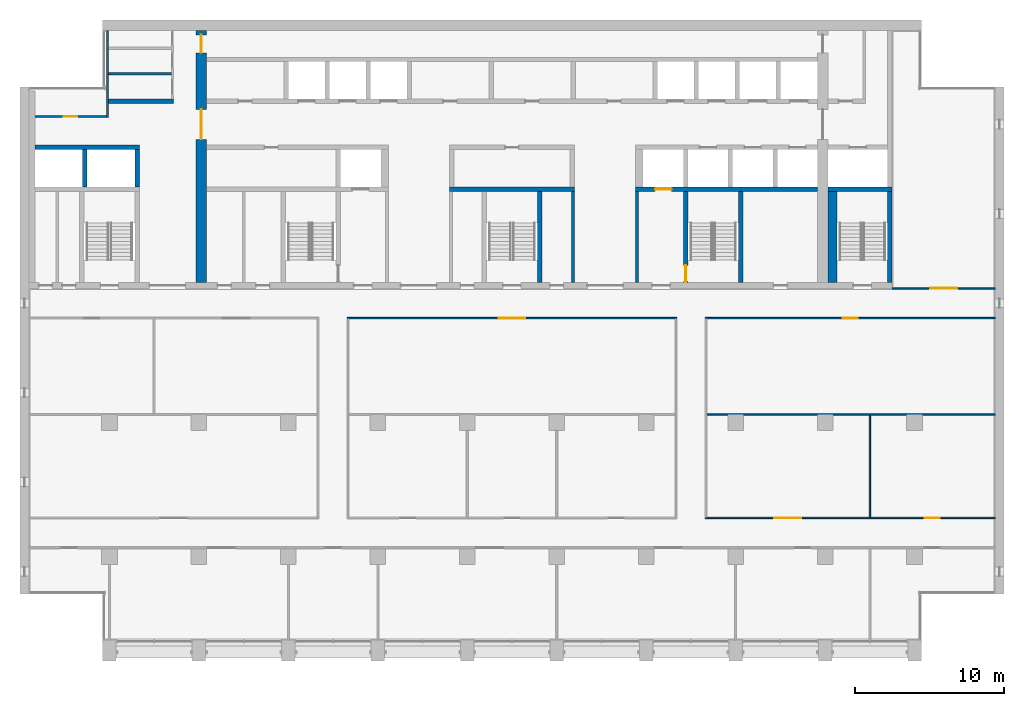
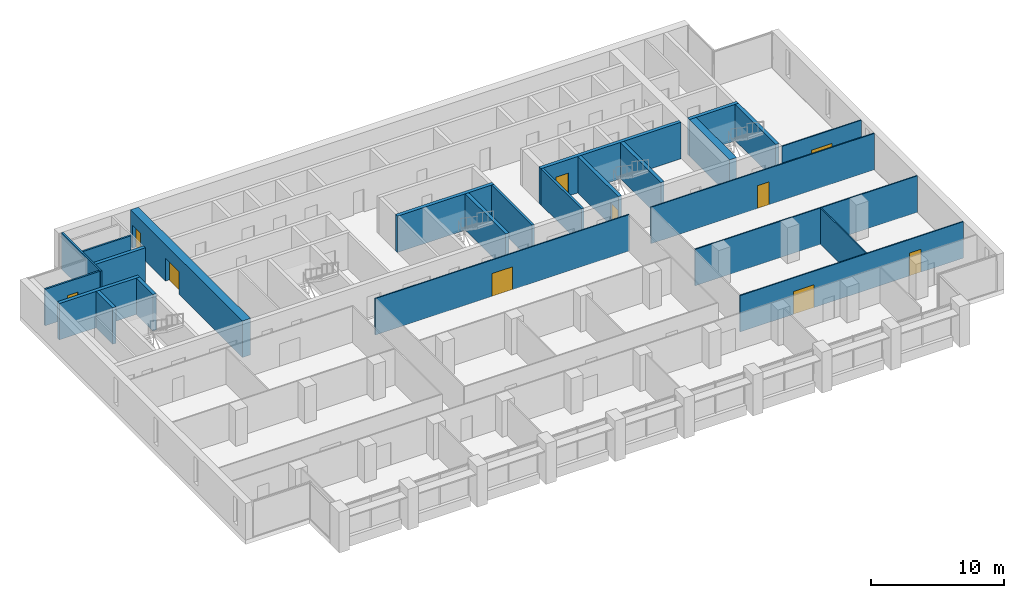
# One storey, part 10 of 17: 24 walls, 10 doors, 10 openings.
"""IFC4 building model written with IfcOpenShell, lengths in metres."""

from ifc_helpers import new_model, si_unit, direction, frame, frame_2d, origin, place, context, subcontext, project, spatial, rectangle, extrude, material, layer, layer_set, type_object, element, fill, save


model = new_model("IFC4")

# Units and contexts
model_context = context("Model", 3, precision=1e-05, world=origin(), true_north=direction((0.0, 1.0)))
body_context = subcontext(model_context, "Body", "Model", "MODEL_VIEW")
ifc_project = project(units=[si_unit("LENGTHUNIT", "METRE"), si_unit("AREAUNIT", "SQUARE_METRE"), si_unit("VOLUMEUNIT", "CUBIC_METRE"), si_unit("PLANEANGLEUNIT", "RADIAN"), si_unit("MASSUNIT", "GRAM", prefix="KILO")], contexts=[model_context])

# Site, building, storey
site_placement = place(None, origin())
site = spatial("IfcSite", under=ifc_project, at=site_placement, CompositionType="ELEMENT")
building_placement = place(site_placement, origin())
building = spatial("IfcBuilding", under=site, at=building_placement, Name="Calvaro Tower", CompositionType="ELEMENT")
storey_placement = place(building_placement, frame((0.0, 0.0, 204.25)))
storey = spatial("IfcBuildingStorey", under=building, at=storey_placement, Name="L51", CompositionType="ELEMENT", Elevation=204.25)

# Walls
ifc_material_1 = material(Name="Blockwork partition", Category="masonry")
ifc_layer_1 = layer(ifc_material_1, 0.14990234375)
ifc_layer_set_1 = layer_set([ifc_layer_1], Name="Blockwork partition")
wall_type_1 = type_object("IfcWallType", Name="Core partition 150 EI 60", PredefinedType="PARTITIONING", material=ifc_layer_set_1)
wall_1_placement = place(storey_placement, frame((11.949951171875, 42.39990234375, 0.0), z_axis=(0.0, 0.0, 1.0), x_axis=(1.0, 0.0, 0.0)))
element("IfcWall", 1, at=wall_1_placement, inside=storey, type_object=wall_type_1, Name="Core partition", PredefinedType="PARTITIONING", context=body_context, shape_type="SweptSolid", body=[
    extrude(rectangle(XDim=4.199951171875, YDim=0.14990234375, at=frame_2d((2.10009765625, 0.0))), origin(), (0.0, 0.0, 1.0), 3.35009765625),
])
ifc_material_2 = material(Name="Blockwork partition", Category="masonry")
ifc_layer_2 = layer(ifc_material_2, 0.14990234375)
ifc_layer_set_2 = layer_set([ifc_layer_2], Name="Blockwork partition")
wall_type_2 = type_object("IfcWallType", Name="Core partition 150 REI 120", PredefinedType="PARTITIONING", material=ifc_layer_set_2)
wall_2_placement = place(storey_placement, frame((11.875, 39.449951171875, 0.0), z_axis=(0.0, 0.0, 1.0), x_axis=(0.0, 1.0, 0.0)))
element("IfcWall", 2, at=wall_2_placement, inside=storey, type_object=wall_type_2, Name="Core partition", PredefinedType="PARTITIONING", context=body_context, shape_type="SweptSolid", body=[
    extrude(rectangle(XDim=5.85009765625, YDim=0.14990234375, at=frame_2d((2.925048828125, 0.0))), origin(), (0.0, 0.0, 1.0), 3.35009765625),
])

# Wall, opening, door
wall_3_placement = place(storey_placement, frame((7.0, 39.52490234375, 0.0), z_axis=(0.0, 0.0, 1.0), x_axis=(1.0, 0.0, 0.0)))
wall_3 = element("IfcWall", 3, at=wall_3_placement, inside=storey, type_object=wall_type_2, Name="Core partition", PredefinedType="PARTITIONING", context=body_context, shape_type="SweptSolid", body=[
    extrude(rectangle(XDim=4.800048828125, YDim=0.14990234375, at=frame_2d((2.39990234375, 0.0))), origin(), (0.0, 0.0, 1.0), 3.35009765625),
])
opening_1_placement = place(wall_3_placement, frame((1.949951171875, 0.0, 0.0)))
opening_1 = element("IfcOpeningElement", 4, at=opening_1_placement, cuts=wall_3, Name="Opening RD9", PredefinedType="OPENING", context=body_context, shape_type="SweptSolid", body=[
    extrude(rectangle(XDim=0.89990234375, YDim=2.10009765625, at=frame_2d((0.449951171875, 1.050048828125))), frame((0.0, 0.0849609375, 0.0), z_axis=(0.0, -1.0, 0.0), x_axis=(1.0, 0.0, 0.0)), (0.0, 0.0, 1.0), 0.169921875),
])
ifc_material_3 = material(Name="Steel door set", Category="steel")
door_type_1 = type_object("IfcDoorType", Name="Room door 900", OperationType="SINGLE_SWING_LEFT", PredefinedType="DOOR", material=ifc_material_3)
door_1_placement = place(opening_1_placement, origin())
door_1 = element("IfcDoor", 5, at=door_1_placement, inside=storey, type_object=door_type_1, Name="Room door", OperationType="SINGLE_SWING_LEFT", OverallHeight=2.10009765625, OverallWidth=0.89990234375, PredefinedType="DOOR", context=body_context, shape_type="SweptSolid", body=[
    extrude(rectangle(XDim=0.89990234375, YDim=2.10009765625, at=frame_2d((0.449951171875, 1.050048828125))), frame((0.0, 0.02490234375, 0.0), z_axis=(0.0, -1.0, 0.0), x_axis=(1.0, 0.0, 0.0)), (0.0, 0.0, 1.0), 0.050048828125),
])
fill(opening_1, door_1)

# Walls
ifc_material_4 = material(Name="Blockwork partition", Category="masonry")
ifc_layer_3 = layer(ifc_material_4, 0.199951171875)
ifc_layer_set_3 = layer_set([ifc_layer_3], Name="Blockwork partition")
wall_type_3 = type_object("IfcWallType", Name="Core partition 200 REI 120", PredefinedType="PARTITIONING", material=ifc_layer_set_3)
for number, where, z_axis, x_axis, name in (
    (6, (43.10009765625, 28.39990234375, 0.0), (0.0, 0.0, 1.0), (0.0, 1.0, 0.0), "Core partition"),
    (7, (47.39990234375, 28.39990234375, 0.0), (0.0, 0.0, 1.0), (0.0, 1.0, 0.0), "Core partition"),
):
    element("IfcWall", number, at=place(storey_placement, frame(where, z_axis=z_axis, x_axis=x_axis)), inside=storey, type_object=wall_type_3, Name=name, PredefinedType="PARTITIONING", context=body_context, shape_type="SweptSolid", body=[
        extrude(rectangle(XDim=6.10009765625, YDim=0.199951171875, at=frame_2d((3.050048828125, 0.0))), origin(), (0.0, 0.0, 1.0), 3.35009765625),
    ])
ifc_material_5 = material(Name="Blockwork partition", Category="masonry")
ifc_layer_4 = layer(ifc_material_5, 0.300048828125)
ifc_layer_set_4 = layer_set([ifc_layer_4], Name="Blockwork partition")
wall_type_4 = type_object("IfcWallType", Name="Core partition 300 REI 120", PredefinedType="PARTITIONING", material=ifc_layer_set_4)
wall_4_placement = place(storey_placement, frame((11.949951171875, 40.550048828125, 0.0), z_axis=(0.0, 0.0, 1.0), x_axis=(1.0, 0.0, 0.0)))
element("IfcWall", 8, at=wall_4_placement, inside=storey, type_object=wall_type_4, Name="Core partition", PredefinedType="PARTITIONING", context=body_context, shape_type="SweptSolid", body=[
    extrude(rectangle(XDim=4.35009765625, YDim=0.300048828125, at=frame_2d((2.175048828125, 0.0))), origin(), (0.0, 0.0, 1.0), 3.35009765625),
])
ifc_material_6 = material(Name="Concrete C50/60", Category="concrete")
ifc_layer_5 = layer(ifc_material_6, 0.300048828125)
ifc_layer_set_5 = layer_set([ifc_layer_5], Name="Concrete C50/60")
wall_type_5 = type_object("IfcWallType", Name="Core wall C50/60 300", PredefinedType="SHEAR", material=ifc_layer_set_5)
wall_5_placement = place(storey_placement, frame((40.85009765625, 28.39990234375, 0.0), z_axis=(0.0, 0.0, 1.0), x_axis=(0.0, 1.0, 0.0)))
element("IfcWall", 9, at=wall_5_placement, inside=storey, type_object=wall_type_5, Name="Core wall, stair enclosure", PredefinedType="SHEAR", context=body_context, shape_type="SweptSolid", body=[
    extrude(rectangle(XDim=6.10009765625, YDim=0.300048828125, at=frame_2d((3.050048828125, 0.0))), origin(), (0.0, 0.0, 1.0), 3.35009765625),
])

# Wall, opening, door
wall_6_placement = place(storey_placement, frame((50.64990234375, 34.5, 0.0), z_axis=(0.0, 0.0, 1.0), x_axis=(0.0, -1.0, 0.0)))
wall_6 = element("IfcWall", 10, at=wall_6_placement, inside=storey, type_object=wall_type_5, Name="Core wall, stair enclosure", PredefinedType="SHEAR", context=body_context, shape_type="SweptSolid", body=[
    extrude(rectangle(XDim=6.10009765625, YDim=0.300048828125, at=frame_2d((3.050048828125, 0.0))), origin(), (0.0, 0.0, 1.0), 3.35009765625),
])
opening_2_placement = place(wall_6_placement, frame((4.949951171875, 0.0, 0.0)))
opening_2 = element("IfcOpeningElement", 11, at=opening_2_placement, cuts=wall_6, Name="Opening FD11D", PredefinedType="OPENING", context=body_context, shape_type="SweptSolid", body=[
    extrude(rectangle(XDim=1.10009765625, YDim=2.10009765625, at=frame_2d((0.550048828125, 1.050048828125))), frame((0.0, 0.159912109375, 0.0), z_axis=(0.0, -1.0, 0.0), x_axis=(1.0, 0.0, 0.0)), (0.0, 0.0, 1.0), 0.320068359375),
])
ifc_material_7 = material(Name="Steel door set", Category="steel")
door_type_2 = type_object("IfcDoorType", Name="Fire door 1100 FD30S", OperationType="SINGLE_SWING_LEFT", PredefinedType="DOOR", material=ifc_material_7)
door_2_placement = place(opening_2_placement, origin())
door_2 = element("IfcDoor", 12, at=door_2_placement, inside=storey, type_object=door_type_2, Name="Fire door", OperationType="SINGLE_SWING_RIGHT", OverallHeight=2.10009765625, OverallWidth=1.10009765625, PredefinedType="DOOR", context=body_context, shape_type="SweptSolid", body=[
    extrude(rectangle(XDim=1.10009765625, YDim=2.10009765625, at=frame_2d((0.550048828125, 1.050048828125))), frame((0.0, 0.02490234375, 0.0), z_axis=(0.0, -1.0, 0.0), x_axis=(1.0, 0.0, 0.0)), (0.0, 0.0, 1.0), 0.050048828125),
])
fill(opening_2, door_2)

# Walls
for number, where, z_axis, x_axis, name in (
    (13, (54.35009765625, 28.39990234375, 0.0), (0.0, 0.0, 1.0), (0.0, 1.0, 0.0), "Core wall, stair enclosure"),
    (14, (64.35009765625, 28.39990234375, 0.0), (0.0, 0.0, 1.0), (0.0, 1.0, 0.0), "Core wall, stair enclosure"),
):
    element("IfcWall", number, at=place(storey_placement, frame(where, z_axis=z_axis, x_axis=x_axis)), inside=storey, type_object=wall_type_5, Name=name, PredefinedType="SHEAR", context=body_context, shape_type="SweptSolid", body=[
        extrude(rectangle(XDim=6.10009765625, YDim=0.300048828125, at=frame_2d((3.050048828125, 0.0))), origin(), (0.0, 0.0, 1.0), 3.35009765625),
    ])
wall_7_placement = place(storey_placement, frame((34.800048828125, 34.64990234375, 0.0), z_axis=(0.0, 0.0, 1.0), x_axis=(1.0, 0.0, 0.0)))
element("IfcWall", 15, at=wall_7_placement, inside=storey, type_object=wall_type_5, Name="Core wall, lift shaft", PredefinedType="SHEAR", context=body_context, shape_type="SweptSolid", body=[
    extrude(rectangle(XDim=8.39990234375, YDim=0.300048828125, at=frame_2d((4.199951171875, 0.0))), origin(), (0.0, 0.0, 1.0), 3.35009765625),
])

# Wall, opening, door
wall_8_placement = place(storey_placement, frame((47.300048828125, 34.64990234375, 0.0), z_axis=(0.0, 0.0, 1.0), x_axis=(1.0, 0.0, 0.0)))
wall_8 = element("IfcWall", 16, at=wall_8_placement, inside=storey, type_object=wall_type_5, Name="Core wall, lift shaft", PredefinedType="SHEAR", context=body_context, shape_type="SweptSolid", body=[
    extrude(rectangle(XDim=12.199951171875, YDim=0.300048828125, at=frame_2d((6.10009765625, 0.0))), origin(), (0.0, 0.0, 1.0), 3.35009765625),
])
opening_3_placement = place(wall_8_placement, frame((1.300048828125, 0.0, 0.0)))
opening_3 = element("IfcOpeningElement", 17, at=opening_3_placement, cuts=wall_8, Name="Opening FF2", PredefinedType="OPENING", context=body_context, shape_type="SweptSolid", body=[
    extrude(rectangle(XDim=1.10009765625, YDim=2.10009765625, at=frame_2d((0.550048828125, 1.050048828125))), frame((0.0, 0.159912109375, 0.0), z_axis=(0.0, -1.0, 0.0), x_axis=(1.0, 0.0, 0.0)), (0.0, 0.0, 1.0), 0.320068359375),
])
ifc_material_8 = material(Name="Stainless steel", Category="steel")
door_type_3 = type_object("IfcDoorType", Name="Landing door 1100 E 60", OperationType="SLIDING_TO_LEFT", PredefinedType="DOOR", material=ifc_material_8)
door_3_placement = place(opening_3_placement, origin())
door_3 = element("IfcDoor", 18, at=door_3_placement, inside=storey, type_object=door_type_3, Name="Landing door FF2", OperationType="SLIDING_TO_LEFT", OverallHeight=2.10009765625, OverallWidth=1.10009765625, PredefinedType="DOOR", context=body_context, shape_type="SweptSolid", body=[
    extrude(rectangle(XDim=1.10009765625, YDim=2.10009765625, at=frame_2d((0.550048828125, 1.050048828125))), frame((0.0, 0.02490234375, 0.0), z_axis=(0.0, -1.0, 0.0), x_axis=(1.0, 0.0, 0.0)), (0.0, 0.0, 1.0), 0.050048828125),
])
fill(opening_3, door_3)

# Walls
wall_9_placement = place(storey_placement, frame((60.199951171875, 34.64990234375, 0.0), z_axis=(0.0, 0.0, 1.0), x_axis=(1.0, 0.0, 0.0)))
element("IfcWall", 19, at=wall_9_placement, inside=storey, type_object=wall_type_5, Name="Core wall, lift shaft", PredefinedType="SHEAR", context=body_context, shape_type="SweptSolid", body=[
    extrude(rectangle(XDim=4.300048828125, YDim=0.300048828125, at=frame_2d((2.14990234375, 0.0))), origin(), (0.0, 0.0, 1.0), 3.35009765625),
])
wall_10_placement = place(storey_placement, frame((7.0, 37.449951171875, 0.0), z_axis=(0.0, 0.0, 1.0), x_axis=(1.0, 0.0, 0.0)))
element("IfcWall", 20, at=wall_10_placement, inside=storey, type_object=wall_type_5, Name="Core wall, lift shaft", PredefinedType="SHEAR", context=body_context, shape_type="SweptSolid", body=[
    extrude(rectangle(XDim=7.0, YDim=0.300048828125, at=frame_2d((3.5, 0.0))), origin(), (0.0, 0.0, 1.0), 3.35009765625),
])
for number, where, z_axis, x_axis, name in (
    (21, (13.85009765625, 34.800048828125, 0.0), (0.0, 0.0, 1.0), (0.0, 1.0, 0.0), "Core wall, lift shaft"),
    (22, (10.35009765625, 34.800048828125, 0.0), (0.0, 0.0, 1.0), (0.0, 1.0, 0.0), "Core wall, lift shaft"),
):
    element("IfcWall", number, at=place(storey_placement, frame(where, z_axis=z_axis, x_axis=x_axis)), inside=storey, type_object=wall_type_5, Name=name, PredefinedType="SHEAR", context=body_context, shape_type="SweptSolid", body=[
        extrude(rectangle(XDim=2.5, YDim=0.300048828125, at=frame_2d((1.25, 0.0))), origin(), (0.0, 0.0, 1.0), 3.35009765625),
    ])
ifc_material_9 = material(Name="Concrete C50/60", Category="concrete")
ifc_layer_6 = layer(ifc_material_9, 0.60009765625)
ifc_layer_set_6 = layer_set([ifc_layer_6], Name="Concrete C50/60")
wall_type_6 = type_object("IfcWallType", Name="Core wall C50/60 600", PredefinedType="SHEAR", material=ifc_layer_set_6)
wall_11_placement = place(storey_placement, frame((60.5, 28.39990234375, 0.0), z_axis=(0.0, 0.0, 1.0), x_axis=(0.0, 1.0, 0.0)))
element("IfcWall", 23, at=wall_11_placement, inside=storey, type_object=wall_type_6, Name="Core wall, stair enclosure", PredefinedType="SHEAR", context=body_context, shape_type="SweptSolid", body=[
    extrude(rectangle(XDim=6.10009765625, YDim=0.60009765625, at=frame_2d((3.050048828125, 0.0))), origin(), (0.0, 0.0, 1.0), 3.35009765625),
])

# Wall, openings, doors
ifc_material_10 = material(Name="Concrete C50/60", Category="concrete")
ifc_layer_7 = layer(ifc_material_10, 0.699951171875)
ifc_layer_set_7 = layer_set([ifc_layer_7], Name="Concrete C50/60")
wall_type_7 = type_object("IfcWallType", Name="Core wall C50/60 700", PredefinedType="SHEAR", material=ifc_layer_set_7)
wall_12_placement = place(storey_placement, frame((18.14990234375, 28.39990234375, 0.0), z_axis=(0.0, 0.0, 1.0), x_axis=(0.0, 1.0, 0.0)))
wall_12 = element("IfcWall", 24, at=wall_12_placement, inside=storey, type_object=wall_type_7, Name="Core wall, cross shear wall", PredefinedType="SHEAR", context=body_context, shape_type="SweptSolid", body=[
    extrude(rectangle(XDim=16.900146484375, YDim=0.699951171875, at=frame_2d((8.4501953125, 0.0))), origin(), (0.0, 0.0, 1.0), 3.35009765625),
])
opening_4_placement = place(wall_12_placement, frame((9.60009765625, 0.0, 0.0)))
opening_4 = element("IfcOpeningElement", 25, at=opening_4_placement, cuts=wall_12, Name="Opening DD20D", PredefinedType="OPENING", context=body_context, shape_type="SweptSolid", body=[
    extrude(rectangle(XDim=2.0, YDim=2.10009765625, at=frame_2d((1.0, 1.050048828125))), frame((0.0, 0.35986328125, 0.0), z_axis=(0.0, -1.0, 0.0), x_axis=(1.0, 0.0, 0.0)), (0.0, 0.0, 1.0), 0.719970703125),
])
opening_5_placement = place(wall_12_placement, frame((15.39990234375, 0.0, 0.0)))
opening_5 = element("IfcOpeningElement", 26, at=opening_5_placement, cuts=wall_12, Name="Opening FD12C", PredefinedType="OPENING", context=body_context, shape_type="SweptSolid", body=[
    extrude(rectangle(XDim=1.199951171875, YDim=2.10009765625, at=frame_2d((0.60009765625, 1.050048828125))), frame((0.0, 0.35986328125, 0.0), z_axis=(0.0, -1.0, 0.0), x_axis=(1.0, 0.0, 0.0)), (0.0, 0.0, 1.0), 0.719970703125),
])
ifc_material_11 = material(Name="Steel door set", Category="steel")
door_type_4 = type_object("IfcDoorType", Name="Fire door 1200 FD30", OperationType="SINGLE_SWING_LEFT", PredefinedType="DOOR", material=ifc_material_11)
door_4_placement = place(opening_5_placement, origin())
door_4 = element("IfcDoor", 27, at=door_4_placement, inside=storey, type_object=door_type_4, Name="Fire door", OperationType="SINGLE_SWING_LEFT", OverallHeight=2.10009765625, OverallWidth=1.199951171875, PredefinedType="DOOR", context=body_context, shape_type="SweptSolid", body=[
    extrude(rectangle(XDim=1.199951171875, YDim=2.10009765625, at=frame_2d((0.60009765625, 1.050048828125))), frame((0.0, 0.02490234375, 0.0), z_axis=(0.0, -1.0, 0.0), x_axis=(1.0, 0.0, 0.0)), (0.0, 0.0, 1.0), 0.050048828125),
])
fill(opening_5, door_4)
ifc_material_12 = material(Name="Steel door set", Category="steel")
door_type_5 = type_object("IfcDoorType", Name="Lobby double door 2000 FD30S", OperationType="DOUBLE_DOOR_SINGLE_SWING", PredefinedType="DOOR", material=ifc_material_12)
door_5_placement = place(opening_4_placement, origin())
door_5 = element("IfcDoor", 28, at=door_5_placement, inside=storey, type_object=door_type_5, Name="Lobby double door", OperationType="DOUBLE_DOOR_SINGLE_SWING", OverallHeight=2.10009765625, OverallWidth=2.0, PredefinedType="DOOR", context=body_context, shape_type="SweptSolid", body=[
    extrude(rectangle(XDim=2.0, YDim=2.10009765625, at=frame_2d((1.0, 1.050048828125))), frame((0.0, 0.02490234375, 0.0), z_axis=(0.0, -1.0, 0.0), x_axis=(1.0, 0.0, 0.0)), (0.0, 0.0, 1.0), 0.050048828125),
])
fill(opening_4, door_5)

# Wall, opening, door
ifc_material_13 = material(Name="Plasterboard on steel studs", Category="steel")
ifc_layer_8 = layer(ifc_material_13, 0.10009765625)
ifc_layer_set_8 = layer_set([ifc_layer_8], Name="Plasterboard on steel studs")
wall_type_8 = type_object("IfcWallType", Name="Partition 100", PredefinedType="PARTITIONING", material=ifc_layer_set_8)
wall_13_placement = place(storey_placement, frame((27.949951171875, 26.0, 0.0), z_axis=(0.0, 0.0, 1.0), x_axis=(1.0, 0.0, 0.0)))
wall_13 = element("IfcWall", 29, at=wall_13_placement, inside=storey, type_object=wall_type_8, Name="Partition T29.W009", PredefinedType="PARTITIONING", context=body_context, shape_type="SweptSolid", body=[
    extrude(rectangle(XDim=22.10009765625, YDim=0.10009765625, at=frame_2d((11.050048828125, 0.0))), origin(), (0.0, 0.0, 1.0), 3.35009765625),
])
opening_6_placement = place(wall_13_placement, frame((10.14990234375, 0.0, 0.0)))
opening_6 = element("IfcOpeningElement", 30, at=opening_6_placement, cuts=wall_13, Name="Opening T29.016", PredefinedType="OPENING", context=body_context, shape_type="SweptSolid", body=[
    extrude(rectangle(XDim=1.800048828125, YDim=2.10009765625, at=frame_2d((0.89990234375, 1.050048828125))), frame((0.0, 0.06005859375, 0.0), z_axis=(0.0, -1.0, 0.0), x_axis=(1.0, 0.0, 0.0)), (0.0, 0.0, 1.0), 0.1201171875),
])
ifc_material_14 = material(Name="Timber", Category="wood")
door_type_6 = type_object("IfcDoorType", Name="Internal double door 1800 x 2100", OperationType="DOUBLE_DOOR_SINGLE_SWING", PredefinedType="DOOR", material=ifc_material_14)
door_6_placement = place(opening_6_placement, origin())
door_6 = element("IfcDoor", 31, at=door_6_placement, inside=storey, type_object=door_type_6, Name="Door T29.016", OperationType="DOUBLE_DOOR_SINGLE_SWING", OverallHeight=2.10009765625, OverallWidth=1.800048828125, PredefinedType="DOOR", context=body_context, shape_type="SweptSolid", body=[
    extrude(rectangle(XDim=1.800048828125, YDim=2.10009765625, at=frame_2d((0.89990234375, 1.050048828125))), frame((0.0, 0.02490234375, 0.0), z_axis=(0.0, -1.0, 0.0), x_axis=(1.0, 0.0, 0.0)), (0.0, 0.0, 1.0), 0.050048828125),
])
fill(opening_6, door_6)

wall_14_placement = place(storey_placement, frame((64.5, 28.0, 0.0), z_axis=(0.0, 0.0, 1.0), x_axis=(1.0, 0.0, 0.0)))
wall_14 = element("IfcWall", 32, at=wall_14_placement, inside=storey, type_object=wall_type_8, Name="Partition T29.W011", PredefinedType="PARTITIONING", context=body_context, shape_type="SweptSolid", body=[
    extrude(rectangle(XDim=6.89990234375, YDim=0.10009765625, at=frame_2d((3.449951171875, 0.0))), origin(), (0.0, 0.0, 1.0), 3.35009765625),
])
opening_7_placement = place(wall_14_placement, frame((2.550048828125, 0.0, 0.0)))
opening_7 = element("IfcOpeningElement", 33, at=opening_7_placement, cuts=wall_14, Name="Opening T29.018", PredefinedType="OPENING", context=body_context, shape_type="SweptSolid", body=[
    extrude(rectangle(XDim=1.800048828125, YDim=2.10009765625, at=frame_2d((0.89990234375, 1.050048828125))), frame((0.0, 0.06005859375, 0.0), z_axis=(0.0, -1.0, 0.0), x_axis=(1.0, 0.0, 0.0)), (0.0, 0.0, 1.0), 0.1201171875),
])
door_7_placement = place(opening_7_placement, origin())
door_7 = element("IfcDoor", 34, at=door_7_placement, inside=storey, type_object=door_type_6, Name="Door T29.018", OperationType="DOUBLE_DOOR_SINGLE_SWING", OverallHeight=2.10009765625, OverallWidth=1.800048828125, PredefinedType="DOOR", context=body_context, shape_type="SweptSolid", body=[
    extrude(rectangle(XDim=1.800048828125, YDim=2.10009765625, at=frame_2d((0.89990234375, 1.050048828125))), frame((0.0, 0.02490234375, 0.0), z_axis=(0.0, -1.0, 0.0), x_axis=(1.0, 0.0, 0.0)), (0.0, 0.0, 1.0), 0.050048828125),
])
fill(opening_7, door_7)

# Wall, openings, doors
ifc_material_15 = material(Name="Plasterboard on steel studs", Category="steel")
ifc_layer_9 = layer(ifc_material_15, 0.10009765625)
ifc_layer_set_9 = layer_set([ifc_layer_9], Name="Plasterboard on steel studs")
wall_type_9 = type_object("IfcWallType", Name="Partition 100 REI 120", PredefinedType="PARTITIONING", material=ifc_layer_set_9)
wall_15_placement = place(storey_placement, frame((51.949951171875, 12.60009765625, 0.0), z_axis=(0.0, 0.0, 1.0), x_axis=(1.0, 0.0, 0.0)))
wall_15 = element("IfcWall", 35, at=wall_15_placement, inside=storey, type_object=wall_type_9, Name="Partition T29.W004", PredefinedType="PARTITIONING", context=body_context, shape_type="SweptSolid", body=[
    extrude(rectangle(XDim=19.449951171875, YDim=0.10009765625, at=frame_2d((9.72509765625, 0.0))), origin(), (0.0, 0.0, 1.0), 3.35009765625),
])
opening_8_placement = place(wall_15_placement, frame((4.64990234375, 0.0, 0.0)))
opening_8 = element("IfcOpeningElement", 36, at=opening_8_placement, cuts=wall_15, Name="Opening T29.012", PredefinedType="OPENING", context=body_context, shape_type="SweptSolid", body=[
    extrude(rectangle(XDim=1.800048828125, YDim=2.10009765625, at=frame_2d((0.89990234375, 1.050048828125))), frame((0.0, 0.06005859375, 0.0), z_axis=(0.0, -1.0, 0.0), x_axis=(1.0, 0.0, 0.0)), (0.0, 0.0, 1.0), 0.1201171875),
])
opening_9_placement = place(wall_15_placement, frame((14.75, 0.0, 0.0)))
opening_9 = element("IfcOpeningElement", 37, at=opening_9_placement, cuts=wall_15, Name="Opening T29.013", PredefinedType="OPENING", context=body_context, shape_type="SweptSolid", body=[
    extrude(rectangle(XDim=1.0, YDim=2.10009765625, at=frame_2d((0.5, 1.050048828125))), frame((0.0, 0.06005859375, 0.0), z_axis=(0.0, -1.0, 0.0), x_axis=(1.0, 0.0, 0.0)), (0.0, 0.0, 1.0), 0.1201171875),
])
door_8_placement = place(opening_8_placement, origin())
door_8 = element("IfcDoor", 38, at=door_8_placement, inside=storey, type_object=door_type_6, Name="Door T29.012", OperationType="DOUBLE_DOOR_SINGLE_SWING", OverallHeight=2.10009765625, OverallWidth=1.800048828125, PredefinedType="DOOR", context=body_context, shape_type="SweptSolid", body=[
    extrude(rectangle(XDim=1.800048828125, YDim=2.10009765625, at=frame_2d((0.89990234375, 1.050048828125))), frame((0.0, 0.02490234375, 0.0), z_axis=(0.0, -1.0, 0.0), x_axis=(1.0, 0.0, 0.0)), (0.0, 0.0, 1.0), 0.050048828125),
])
fill(opening_8, door_8)
ifc_material_16 = material(Name="Timber", Category="wood")
door_type_7 = type_object("IfcDoorType", Name="Internal single door 1000 x 2100 FD60", OperationType="SINGLE_SWING_LEFT", PredefinedType="DOOR", material=ifc_material_16)
door_9_placement = place(opening_9_placement, origin())
door_9 = element("IfcDoor", 39, at=door_9_placement, inside=storey, type_object=door_type_7, Name="Door T29.013", OperationType="SINGLE_SWING_RIGHT", OverallHeight=2.10009765625, OverallWidth=1.0, PredefinedType="DOOR", context=body_context, shape_type="SweptSolid", body=[
    extrude(rectangle(XDim=1.0, YDim=2.10009765625, at=frame_2d((0.5, 1.050048828125))), frame((0.0, 0.02490234375, 0.0), z_axis=(0.0, -1.0, 0.0), x_axis=(1.0, 0.0, 0.0)), (0.0, 0.0, 1.0), 0.050048828125),
])
fill(opening_9, door_9)

# Wall
wall_16_placement = place(storey_placement, frame((52.050048828125, 19.550048828125, 0.0), z_axis=(0.0, 0.0, 1.0), x_axis=(1.0, 0.0, 0.0)))
element("IfcWall", 40, at=wall_16_placement, inside=storey, type_object=wall_type_9, Name="Partition T29.W007", PredefinedType="PARTITIONING", context=body_context, shape_type="SweptSolid", body=[
    extrude(rectangle(XDim=19.349853515625, YDim=0.10009765625, at=frame_2d((9.6748046875, 0.0))), origin(), (0.0, 0.0, 1.0), 3.35009765625),
])

# Wall, opening, door
wall_17_placement = place(storey_placement, frame((51.949951171875, 26.0, 0.0), z_axis=(0.0, 0.0, 1.0), x_axis=(1.0, 0.0, 0.0)))
wall_17 = element("IfcWall", 41, at=wall_17_placement, inside=storey, type_object=wall_type_9, Name="Partition T29.W010", PredefinedType="PARTITIONING", context=body_context, shape_type="SweptSolid", body=[
    extrude(rectangle(XDim=19.449951171875, YDim=0.10009765625, at=frame_2d((9.72509765625, 0.0))), origin(), (0.0, 0.0, 1.0), 3.35009765625),
])
opening_10_placement = place(wall_17_placement, frame((9.25, 0.0, 0.0)))
opening_10 = element("IfcOpeningElement", 42, at=opening_10_placement, cuts=wall_17, Name="Opening T29.017", PredefinedType="OPENING", context=body_context, shape_type="SweptSolid", body=[
    extrude(rectangle(XDim=1.0, YDim=2.10009765625, at=frame_2d((0.5, 1.050048828125))), frame((0.0, 0.06005859375, 0.0), z_axis=(0.0, -1.0, 0.0), x_axis=(1.0, 0.0, 0.0)), (0.0, 0.0, 1.0), 0.1201171875),
])
door_10_placement = place(opening_10_placement, origin())
door_10 = element("IfcDoor", 43, at=door_10_placement, inside=storey, type_object=door_type_7, Name="Door T29.017", OperationType="SINGLE_SWING_RIGHT", OverallHeight=2.10009765625, OverallWidth=1.0, PredefinedType="DOOR", context=body_context, shape_type="SweptSolid", body=[
    extrude(rectangle(XDim=1.0, YDim=2.10009765625, at=frame_2d((0.5, 1.050048828125))), frame((0.0, 0.02490234375, 0.0), z_axis=(0.0, -1.0, 0.0), x_axis=(1.0, 0.0, 0.0)), (0.0, 0.0, 1.0), 0.050048828125),
])
fill(opening_10, door_10)

# Wall
wall_18_placement = place(storey_placement, frame((63.0, 12.64990234375, 0.0), z_axis=(0.0, 0.0, 1.0), x_axis=(0.0, 1.0, 0.0)))
element("IfcWall", 44, at=wall_18_placement, inside=storey, type_object=wall_type_9, Name="Partition T29.W025", PredefinedType="PARTITIONING", context=body_context, shape_type="SweptSolid", body=[
    extrude(rectangle(XDim=6.85009765625, YDim=0.10009765625, at=frame_2d((3.425048828125, 0.0))), origin(), (0.0, 0.0, 1.0), 3.35009765625),
])

save(model, "model.ifc")
